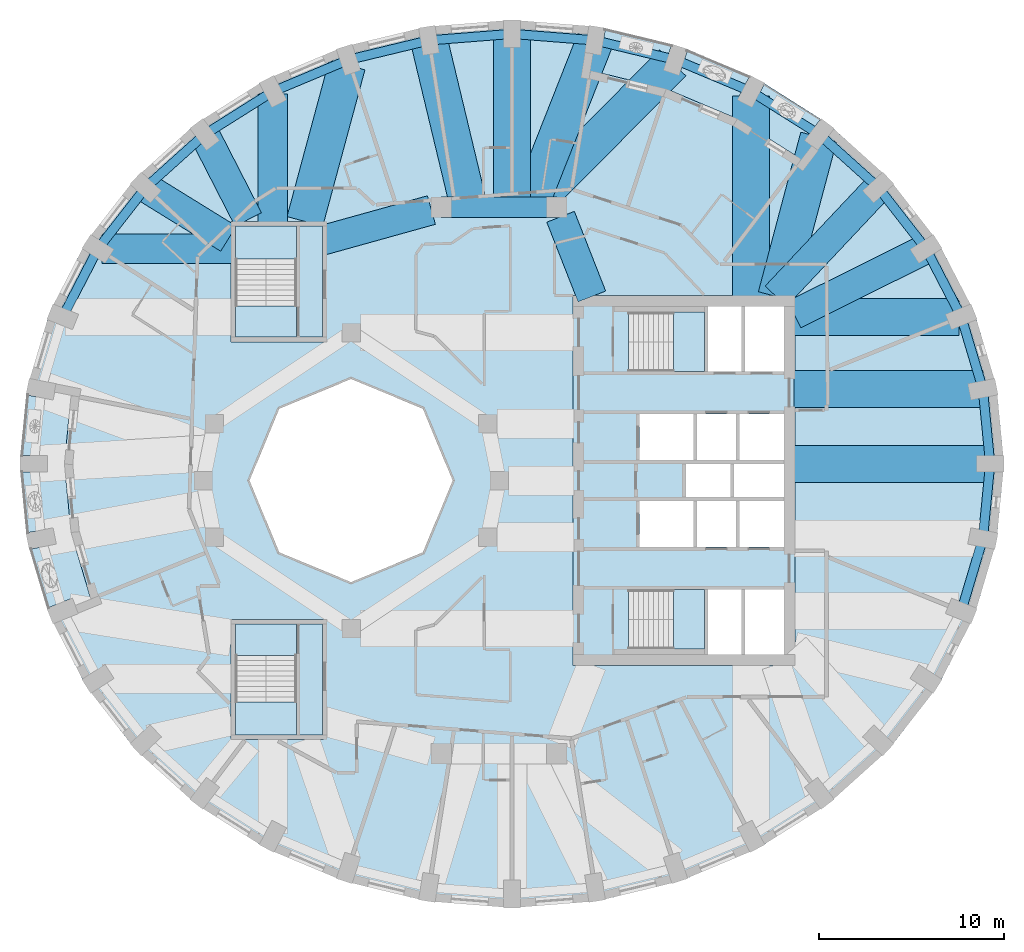
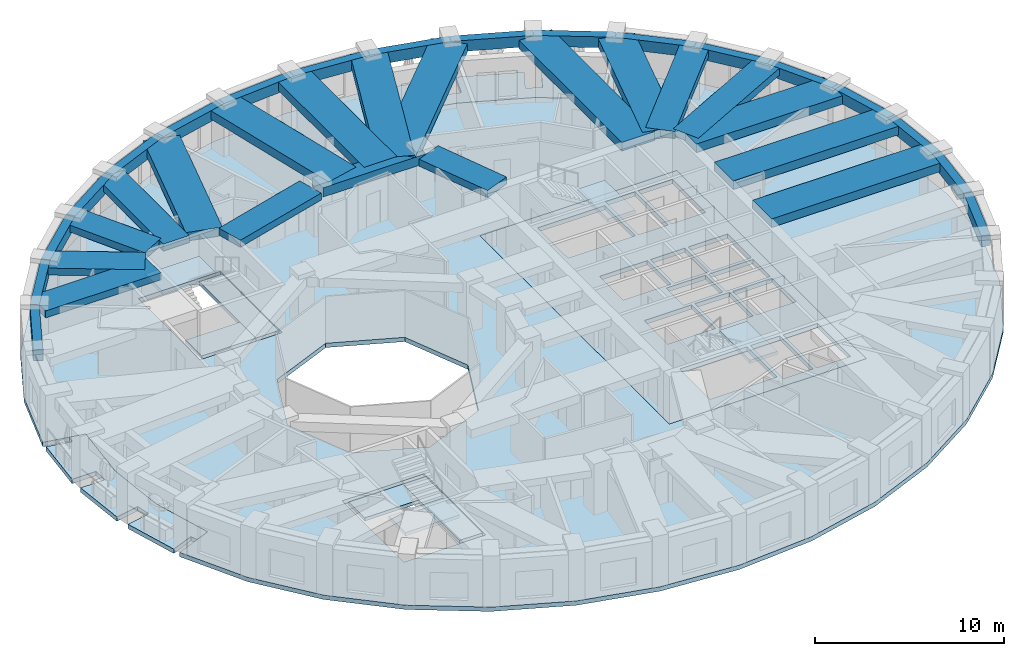
# One storey, part 2 of 12: 37 beams, 12 slabs, 4 elements without a shape of their own.
"""IFC4 building model written with IfcOpenShell, lengths in metres."""

from ifc_helpers import new_model, si_unit, direction, frame, origin, origin_2d, place, context, subcontext, project, spatial, polyline, rectangle, outline, extrude, material, layer, layer_set, material_profile, profile_set, type_object, element, aggregate, save


model = new_model("IFC4")

# Units and contexts
model_context = context("Model", 3, precision=1e-05, world=origin(), true_north=direction((0.0, 1.0)))
body_context = subcontext(model_context, "Body", "Model", "MODEL_VIEW")
ifc_project = project(units=[si_unit("LENGTHUNIT", "METRE"), si_unit("AREAUNIT", "SQUARE_METRE"), si_unit("VOLUMEUNIT", "CUBIC_METRE"), si_unit("PLANEANGLEUNIT", "RADIAN"), si_unit("MASSUNIT", "GRAM", prefix="KILO")], contexts=[model_context])

# Site, building, storey
site_placement = place(None, origin())
site = spatial("IfcSite", under=ifc_project, at=site_placement, CompositionType="ELEMENT")
building_placement = place(site_placement, origin())
building = spatial("IfcBuilding", under=site, at=building_placement, Name="Taillehof Tower", CompositionType="ELEMENT")
storey_placement = place(building_placement, frame((0.0, 0.0, 189.199951171875)))
storey = spatial("IfcBuildingStorey", under=building, at=storey_placement, Name="L53", CompositionType="ELEMENT", Elevation=189.199951171875)

# Beams
ifc_material_1 = material(Name="Concrete C50/60", Category="concrete")
ifc_material_profile_1 = material_profile(ifc_material_1, rectangle(XDim=1.10009765625, YDim=0.60009765625, at=origin_2d()), Name="RC 1100x600")
ifc_profile_set_1 = profile_set([ifc_material_profile_1], Name="Concrete C50/60")
beam_type_1 = type_object("IfcBeamType", Name="Mid-ring beam C50/60 1100x600", PredefinedType="BEAM", material=ifc_profile_set_1)
beam_1_placement = place(storey_placement, frame((3.125732421875, 14.772216796875, 2.719970703125), z_axis=(-1.0, 0.0, 0.0), x_axis=(0.0, -1.0, 0.0)))
element("IfcBeam", 1, at=beam_1_placement, inside=storey, type_object=beam_type_1, Name="Mid-ring beam MB01", PredefinedType="BEAM", context=body_context, shape_type="SweptSolid", body=[
    extrude(rectangle(XDim=1.10009765625, YDim=0.60009765625, at=origin_2d()), origin(), (0.0, 0.0, 1.0), 6.25146484375),
])
ifc_material_2 = material(Name="Concrete C50/60", Category="concrete")
ifc_material_profile_2 = material_profile(ifc_material_2, rectangle(XDim=1.60009765625, YDim=0.449951171875, at=origin_2d()), Name="RC 1600x450")
ifc_profile_set_2 = profile_set([ifc_material_profile_2], Name="Concrete C50/60")
beam_type_2 = type_object("IfcBeamType", Name="Radial band beam C50/60 1600x450", PredefinedType="BEAM", material=ifc_profile_set_2)
beam_2_placement = place(storey_placement, frame((23.086669921875, 12.52490234375, 2.795166015625), z_axis=(-0.895357082848, -0.445348957778, 0.0), x_axis=(0.445348957778, -0.895357082848, 0.0)))
element("IfcBeam", 2, at=beam_2_placement, inside=storey, type_object=beam_type_2, Name="Radial band beam RB04", PredefinedType="BEAM", context=body_context, shape_type="SweptSolid", body=[
    extrude(rectangle(XDim=1.60009765625, YDim=0.449951171875, at=origin_2d()), origin(), (0.0, 0.0, 1.0), 7.96484375),
])
beam_3_placement = place(storey_placement, frame((20.502197265625, 15.8447265625, 2.795166015625), z_axis=(-0.685451470964, -0.728118315217, 0.0), x_axis=(0.728118315217, -0.685451470964, 0.0)))
element("IfcBeam", 3, at=beam_3_placement, inside=storey, type_object=beam_type_2, Name="Radial band beam RB05", PredefinedType="BEAM", context=body_context, shape_type="SweptSolid", body=[
    extrude(rectangle(XDim=1.60009765625, YDim=0.449951171875, at=origin_2d()), origin(), (0.0, 0.0, 1.0), 8.07373046875),
])
beam_4_placement = place(storey_placement, frame((-12.22509765625, 20.9013671875, 2.795166015625), z_axis=(0.0, -1.0, 0.0), x_axis=(1.0, 0.0, 0.0)))
element("IfcBeam", 4, at=beam_4_placement, inside=storey, type_object=beam_type_2, Name="Radial band beam RB13", PredefinedType="BEAM", context=body_context, shape_type="SweptSolid", body=[
    extrude(rectangle(XDim=1.60009765625, YDim=0.449951171875, at=origin_2d()), origin(), (0.0, 0.0, 1.0), 6.951416015625),
])
beam_5_placement = place(storey_placement, frame((-15.916015625, 18.71044921875, 2.795166015625), z_axis=(0.456360793517, -0.889794822496, 0.0), x_axis=(0.889794822496, 0.456360793517, 0.0)))
element("IfcBeam", 5, at=beam_5_placement, inside=storey, type_object=beam_type_2, Name="Radial band beam RB14", PredefinedType="BEAM", context=body_context, shape_type="SweptSolid", body=[
    extrude(rectangle(XDim=1.60009765625, YDim=0.449951171875, at=origin_2d()), origin(), (0.0, 0.0, 1.0), 5.16455078125),
])
beam_6_placement = place(storey_placement, frame((-19.102294921875, 15.8447265625, 2.795166015625), z_axis=(0.850616081395, -0.525787297366, 0.0), x_axis=(0.525787297366, 0.850616081395, 0.0)))
element("IfcBeam", 6, at=beam_6_placement, inside=storey, type_object=beam_type_2, Name="Radial band beam RB15", PredefinedType="BEAM", context=body_context, shape_type="SweptSolid", body=[
    extrude(rectangle(XDim=1.60009765625, YDim=0.449951171875, at=origin_2d()), origin(), (0.0, 0.0, 1.0), 5.260498046875),
])
beam_7_placement = place(storey_placement, frame((-21.47021484375, 12.52490234375, 2.795166015625), z_axis=(1.0, 0.0, 0.0), x_axis=(0.0, 1.0, 0.0)))
element("IfcBeam", 7, at=beam_7_placement, inside=storey, type_object=beam_type_2, Name="Radial band beam RB16", PredefinedType="BEAM", context=body_context, shape_type="SweptSolid", body=[
    extrude(rectangle(XDim=1.60009765625, YDim=0.449951171875, at=origin_2d()), origin(), (0.0, 0.0, 1.0), 7.020263671875),
])
beam_8_placement = place(storey_placement, frame((3.32666015625, 14.26025390625, 2.795166015625), z_axis=(0.365588707223, -0.930776502255, 0.0), x_axis=(0.930776502255, 0.365588707223, 0.0)))
element("IfcBeam", 8, at=beam_8_placement, inside=storey, type_object=beam_type_2, Name="Inner band beam IB205", PredefinedType="BEAM", context=body_context, shape_type="SweptSolid", body=[
    extrude(rectangle(XDim=1.60009765625, YDim=0.449951171875, at=origin_2d()), origin(), (0.0, 0.0, 1.0), 4.627197265625),
])
beam_9_placement = place(storey_placement, frame((-3.655517578125, 14.624755859375, 2.795166015625), z_axis=(-0.963459369536, -0.267854518821, 0.0), x_axis=(0.267854518821, -0.963459369536, 0.0)))
element("IfcBeam", 9, at=beam_9_placement, inside=storey, type_object=beam_type_2, Name="Inner band beam IB206", PredefinedType="BEAM", context=body_context, shape_type="SweptSolid", body=[
    extrude(rectangle(XDim=1.60009765625, YDim=0.449951171875, at=origin_2d()), origin(), (0.0, 0.0, 1.0), 6.096923828125),
])
ifc_material_3 = material(Name="Concrete C50/60", Category="concrete")
ifc_material_profile_3 = material_profile(ifc_material_3, rectangle(XDim=2.0, YDim=0.550048828125, at=origin_2d()), Name="RC 2000x550")
ifc_profile_set_3 = profile_set([ifc_material_profile_3], Name="Concrete C50/60")
beam_type_3 = type_object("IfcBeamType", Name="Radial band beam C50/60 2000x550", PredefinedType="BEAM", material=ifc_profile_set_3)
beam_10_placement = place(storey_placement, frame((26.550048828125, 0.89990234375, 2.7451171875), z_axis=(-1.0, 0.0, 0.0), x_axis=(0.0, -1.0, 0.0)))
element("IfcBeam", 10, at=beam_10_placement, inside=storey, type_object=beam_type_3, Name="Radial band beam RB01", PredefinedType="BEAM", context=body_context, shape_type="SweptSolid", body=[
    extrude(rectangle(XDim=2.0, YDim=0.550048828125, at=origin_2d()), origin(), (0.0, 0.0, 1.0), 10.60009765625),
])
beam_11_placement = place(storey_placement, frame((26.1572265625, 4.937255859375, 2.7451171875), z_axis=(-1.0, 0.0, 0.0), x_axis=(0.0, -1.0, 0.0)))
element("IfcBeam", 11, at=beam_11_placement, inside=storey, type_object=beam_type_3, Name="Radial band beam RB02", PredefinedType="BEAM", context=body_context, shape_type="SweptSolid", body=[
    extrude(rectangle(XDim=2.0, YDim=0.550048828125, at=origin_2d()), origin(), (0.0, 0.0, 1.0), 10.207275390625),
])
beam_12_placement = place(storey_placement, frame((24.856201171875, 8.85205078125, 2.7451171875), z_axis=(-1.0, 0.0, 0.0), x_axis=(0.0, -1.0, 0.0)))
element("IfcBeam", 12, at=beam_12_placement, inside=storey, type_object=beam_type_3, Name="Radial band beam RB03", PredefinedType="BEAM", context=body_context, shape_type="SweptSolid", body=[
    extrude(rectangle(XDim=2.0, YDim=0.550048828125, at=origin_2d()), origin(), (0.0, 0.0, 1.0), 8.90625),
])
beam_13_placement = place(storey_placement, frame((17.28076171875, 18.577880859375, 2.7451171875), z_axis=(-0.256969711091, -0.966419457369, 0.0), x_axis=(0.966419457369, -0.256969711091, 0.0)))
element("IfcBeam", 13, at=beam_13_placement, inside=storey, type_object=beam_type_3, Name="Radial band beam RB06", PredefinedType="BEAM", context=body_context, shape_type="SweptSolid", body=[
    extrude(rectangle(XDim=2.0, YDim=0.550048828125, at=origin_2d()), origin(), (0.0, 0.0, 1.0), 8.926025390625),
])
beam_14_placement = place(storey_placement, frame((13.625, 20.797607421875, 2.7451171875), z_axis=(0.0, -1.0, 0.0), x_axis=(1.0, 0.0, 0.0)))
element("IfcBeam", 14, at=beam_14_placement, inside=storey, type_object=beam_type_3, Name="Radial band beam RB07", PredefinedType="BEAM", context=body_context, shape_type="SweptSolid", body=[
    extrude(rectangle(XDim=2.0, YDim=0.550048828125, at=origin_2d()), origin(), (0.0, 0.0, 1.0), 10.84765625),
])
beam_15_placement = place(storey_placement, frame((9.384765625, 22.590087890625, 2.7451171875), z_axis=(-0.704433609475, -0.709769885133, 0.0), x_axis=(0.709769885133, -0.704433609475, 0.0)))
element("IfcBeam", 15, at=beam_15_placement, inside=storey, type_object=beam_type_3, Name="Radial band beam RB08", PredefinedType="BEAM", context=body_context, shape_type="SweptSolid", body=[
    extrude(rectangle(XDim=2.0, YDim=0.550048828125, at=origin_2d()), origin(), (0.0, 0.0, 1.0), 10.79736328125),
])
beam_16_placement = place(storey_placement, frame((5.188720703125, 23.796875, 2.7451171875), z_axis=(-0.367222105753, -0.930133283485, 0.0), x_axis=(0.930133283485, -0.367222105753, 0.0)))
element("IfcBeam", 16, at=beam_16_placement, inside=storey, type_object=beam_type_3, Name="Radial band beam RB09", PredefinedType="BEAM", context=body_context, shape_type="SweptSolid", body=[
    extrude(rectangle(XDim=2.0, YDim=0.550048828125, at=origin_2d()), origin(), (0.0, 0.0, 1.0), 9.70263671875),
])
beam_17_placement = place(storey_placement, frame((0.699951171875, 24.14990234375, 2.7451171875), z_axis=(0.0, -1.0, 0.0), x_axis=(1.0, 0.0, 0.0)))
element("IfcBeam", 17, at=beam_17_placement, inside=storey, type_object=beam_type_3, Name="Radial band beam RB10", PredefinedType="BEAM", context=body_context, shape_type="SweptSolid", body=[
    extrude(rectangle(XDim=2.0, YDim=0.550048828125, at=origin_2d()), origin(), (0.0, 0.0, 1.0), 9.377685546875),
])
beam_18_placement = place(storey_placement, frame((-3.788818359375, 23.796875, 2.7451171875), z_axis=(0.233084395558, -0.972456510363, 0.0), x_axis=(0.972456510363, 0.233084395558, 0.0)))
element("IfcBeam", 18, at=beam_18_placement, inside=storey, type_object=beam_type_3, Name="Radial band beam RB11", PredefinedType="BEAM", context=body_context, shape_type="SweptSolid", body=[
    extrude(rectangle(XDim=2.0, YDim=0.550048828125, at=origin_2d()), origin(), (0.0, 0.0, 1.0), 9.2802734375),
])
beam_19_placement = place(storey_placement, frame((-8.2177734375, 22.464111328125, 2.7451171875), z_axis=(-0.260346436551, -0.965515268121, 0.0), x_axis=(0.965515268121, -0.260346436551, 0.0)))
element("IfcBeam", 19, at=beam_19_placement, inside=storey, type_object=beam_type_3, Name="Radial band beam RB12", PredefinedType="BEAM", context=body_context, shape_type="SweptSolid", body=[
    extrude(rectangle(XDim=2.0, YDim=0.550048828125, at=origin_2d()), origin(), (0.0, 0.0, 1.0), 8.755859375),
])
ifc_material_4 = material(Name="Concrete C50/60", Category="concrete")
ifc_material_profile_4 = material_profile(ifc_material_4, rectangle(XDim=0.5, YDim=0.699951171875, at=origin_2d()), Name="RC 500x700")
ifc_profile_set_4 = profile_set([ifc_material_profile_4], Name="Concrete C50/60")
beam_type_4 = type_object("IfcBeamType", Name="Spandrel beam C50/60 500x700", PredefinedType="SPANDREL", material=ifc_profile_set_4)
beam_20_placement = place(storey_placement, frame((26.550048828125, 0.89990234375, 2.670166015625), z_axis=(-0.096839674059, 0.995299993735, 0.0), x_axis=(-0.995299993735, -0.096839674059, 0.0)))
element("IfcBeam", 20, at=beam_20_placement, inside=storey, type_object=beam_type_4, Name="Spandrel beam SB01", PredefinedType="SPANDREL", context=body_context, shape_type="SweptSolid", body=[
    extrude(rectangle(XDim=0.5, YDim=0.699951171875, at=origin_2d()), origin(), (0.0, 0.0, 1.0), 4.056396484375),
])
beam_21_placement = place(storey_placement, frame((26.1572265625, 4.937255859375, 2.670166015625), z_axis=(-0.285510458946, 0.9583755933, 0.0), x_axis=(-0.9583755933, -0.285510458946, 0.0)))
element("IfcBeam", 21, at=beam_21_placement, inside=storey, type_object=beam_type_4, Name="Spandrel beam SB02", PredefinedType="SPANDREL", context=body_context, shape_type="SweptSolid", body=[
    extrude(rectangle(XDim=0.5, YDim=0.699951171875, at=origin_2d()), origin(), (0.0, 0.0, 1.0), 4.084716796875),
])
beam_22_placement = place(storey_placement, frame((24.990966796875, 8.85205078125, 2.670166015625), z_axis=(-0.460289604274, 0.887768821371, 0.0), x_axis=(-0.887768821371, -0.460289604274, 0.0)))
element("IfcBeam", 22, at=beam_22_placement, inside=storey, type_object=beam_type_4, Name="Spandrel beam SB03", PredefinedType="SPANDREL", context=body_context, shape_type="SweptSolid", body=[
    extrude(rectangle(XDim=0.5, YDim=0.699951171875, at=origin_2d()), origin(), (0.0, 0.0, 1.0), 4.13720703125),
])
beam_23_placement = place(storey_placement, frame((23.086669921875, 12.52490234375, 2.670166015625), z_axis=(-0.614294081938, 0.789077170432, 0.0), x_axis=(-0.789077170432, -0.614294081938, 0.0)))
element("IfcBeam", 23, at=beam_23_placement, inside=storey, type_object=beam_type_4, Name="Spandrel beam SB04", PredefinedType="SPANDREL", context=body_context, shape_type="SweptSolid", body=[
    extrude(rectangle(XDim=0.5, YDim=0.699951171875, at=origin_2d()), origin(), (0.0, 0.0, 1.0), 4.207275390625),
])
beam_24_placement = place(storey_placement, frame((20.502197265625, 15.8447265625, 2.670166015625), z_axis=(-0.743492416006, 0.668744366213, 0.0), x_axis=(-0.668744366213, -0.743492416006, 0.0)))
element("IfcBeam", 24, at=beam_24_placement, inside=storey, type_object=beam_type_4, Name="Spandrel beam SB05", PredefinedType="SPANDREL", context=body_context, shape_type="SweptSolid", body=[
    extrude(rectangle(XDim=0.5, YDim=0.699951171875, at=origin_2d()), origin(), (0.0, 0.0, 1.0), 4.28515625),
])
beam_25_placement = place(storey_placement, frame((17.316162109375, 18.71044921875, 2.670166015625), z_axis=(-0.846166475687, 0.532918657417, 0.0), x_axis=(-0.532918657417, -0.846166475687, 0.0)))
element("IfcBeam", 25, at=beam_25_placement, inside=storey, type_object=beam_type_4, Name="Spandrel beam SB06", PredefinedType="SPANDREL", context=body_context, shape_type="SweptSolid", body=[
    extrude(rectangle(XDim=0.5, YDim=0.699951171875, at=origin_2d()), origin(), (0.0, 0.0, 1.0), 4.3623046875),
])
beam_26_placement = place(storey_placement, frame((13.625, 21.03515625, 2.670166015625), z_axis=(-0.92218550199, 0.386747850569, 0.0), x_axis=(-0.386747850569, -0.92218550199, 0.0)))
element("IfcBeam", 26, at=beam_26_placement, inside=storey, type_object=beam_type_4, Name="Spandrel beam SB07", PredefinedType="SPANDREL", context=body_context, shape_type="SweptSolid", body=[
    extrude(rectangle(XDim=0.5, YDim=0.699951171875, at=origin_2d()), origin(), (0.0, 0.0, 1.0), 4.42822265625),
])
beam_27_placement = place(storey_placement, frame((9.541259765625, 22.747802734375, 2.670166015625), z_axis=(-0.972160640613, 0.234315361943, 0.0), x_axis=(-0.234315361943, -0.972160640613, 0.0)))
element("IfcBeam", 27, at=beam_27_placement, inside=storey, type_object=beam_type_4, Name="Spandrel beam SB08", PredefinedType="SPANDREL", context=body_context, shape_type="SweptSolid", body=[
    extrude(rectangle(XDim=0.5, YDim=0.699951171875, at=origin_2d()), origin(), (0.0, 0.0, 1.0), 4.477294921875),
])
for number, where, z_axis, x_axis, name in (
    (28, (5.188720703125, 23.796875, 2.670166015625), (-0.996921613963, 0.078404691275, 0.0), (-0.078404691275, -0.996921613963, 0.0), "Spandrel beam SB09"),
    (29, (0.699951171875, 24.14990234375, 2.670166015625), (-0.996921613963, -0.078404691275, 0.0), (0.078404691275, -0.996921613963, 0.0), "Spandrel beam SB10"),
):
    element("IfcBeam", number, at=place(storey_placement, frame(where, z_axis=z_axis, x_axis=x_axis)), inside=storey, type_object=beam_type_4, Name=name, PredefinedType="SPANDREL", context=body_context, shape_type="SweptSolid", body=[
        extrude(rectangle(XDim=0.5, YDim=0.699951171875, at=origin_2d()), origin(), (0.0, 0.0, 1.0), 4.502685546875),
    ])
beam_28_placement = place(storey_placement, frame((-3.788818359375, 23.796875, 2.670166015625), z_axis=(-0.972157646478, -0.234327784087, 0.0), x_axis=(0.234327784087, -0.972157646478, 0.0)))
element("IfcBeam", 30, at=beam_28_placement, inside=storey, type_object=beam_type_4, Name="Spandrel beam SB11", PredefinedType="SPANDREL", context=body_context, shape_type="SweptSolid", body=[
    extrude(rectangle(XDim=0.5, YDim=0.699951171875, at=origin_2d()), origin(), (0.0, 0.0, 1.0), 4.47705078125),
])
beam_29_placement = place(storey_placement, frame((-8.14111328125, 22.747802734375, 2.670166015625), z_axis=(-0.922193747603, -0.386728188632, 0.0), x_axis=(0.386728188632, -0.922193747603, 0.0)))
element("IfcBeam", 31, at=beam_29_placement, inside=storey, type_object=beam_type_4, Name="Spandrel beam SB12", PredefinedType="SPANDREL", context=body_context, shape_type="SweptSolid", body=[
    extrude(rectangle(XDim=0.5, YDim=0.699951171875, at=origin_2d()), origin(), (0.0, 0.0, 1.0), 4.428466796875),
])
beam_30_placement = place(storey_placement, frame((-12.22509765625, 21.03515625, 2.670166015625), z_axis=(-0.846150579775, -0.532943896059, 0.0), x_axis=(0.532943896059, -0.846150579775, 0.0)))
element("IfcBeam", 32, at=beam_30_placement, inside=storey, type_object=beam_type_4, Name="Spandrel beam SB13", PredefinedType="SPANDREL", context=body_context, shape_type="SweptSolid", body=[
    extrude(rectangle(XDim=0.5, YDim=0.699951171875, at=origin_2d()), origin(), (0.0, 0.0, 1.0), 4.362060546875),
])
beam_31_placement = place(storey_placement, frame((-15.916015625, 18.71044921875, 2.670166015625), z_axis=(-0.743517893617, -0.668716039789, 0.0), x_axis=(0.668716039789, -0.743517893617, 0.0)))
element("IfcBeam", 33, at=beam_31_placement, inside=storey, type_object=beam_type_4, Name="Spandrel beam SB14", PredefinedType="SPANDREL", context=body_context, shape_type="SweptSolid", body=[
    extrude(rectangle(XDim=0.5, YDim=0.699951171875, at=origin_2d()), origin(), (0.0, 0.0, 1.0), 4.285400390625),
])
beam_32_placement = place(storey_placement, frame((-19.102294921875, 15.8447265625, 2.670166015625), z_axis=(-0.614294081938, -0.789077170432, 0.0), x_axis=(0.789077170432, -0.614294081938, 0.0)))
element("IfcBeam", 34, at=beam_32_placement, inside=storey, type_object=beam_type_4, Name="Spandrel beam SB15", PredefinedType="SPANDREL", context=body_context, shape_type="SweptSolid", body=[
    extrude(rectangle(XDim=0.5, YDim=0.699951171875, at=origin_2d()), origin(), (0.0, 0.0, 1.0), 4.207275390625),
])
beam_33_placement = place(storey_placement, frame((-21.686767578125, 12.52490234375, 2.670166015625), z_axis=(-0.460289604274, -0.887768821371, 0.0), x_axis=(0.887768821371, -0.460289604274, 0.0)))
element("IfcBeam", 35, at=beam_33_placement, inside=storey, type_object=beam_type_4, Name="Spandrel beam SB16", PredefinedType="SPANDREL", context=body_context, shape_type="SweptSolid", body=[
    extrude(rectangle(XDim=0.5, YDim=0.699951171875, at=origin_2d()), origin(), (0.0, 0.0, 1.0), 4.13720703125),
])
beam_34_placement = place(storey_placement, frame((24.990966796875, -7.052001953125, 2.670166015625), z_axis=(0.285510458946, 0.9583755933, 0.0), x_axis=(-0.9583755933, 0.285510458946, 0.0)))
element("IfcBeam", 36, at=beam_34_placement, inside=storey, type_object=beam_type_4, Name="Spandrel beam SB35", PredefinedType="SPANDREL", context=body_context, shape_type="SweptSolid", body=[
    extrude(rectangle(XDim=0.5, YDim=0.699951171875, at=origin_2d()), origin(), (0.0, 0.0, 1.0), 4.084716796875),
])
beam_35_placement = place(storey_placement, frame((26.1572265625, -3.13720703125, 2.670166015625), z_axis=(0.096845475428, 0.995299429262, 0.0), x_axis=(-0.995299429262, 0.096845475428, 0.0)))
element("IfcBeam", 37, at=beam_35_placement, inside=storey, type_object=beam_type_4, Name="Spandrel beam SB36", PredefinedType="SPANDREL", context=body_context, shape_type="SweptSolid", body=[
    extrude(rectangle(XDim=0.5, YDim=0.699951171875, at=origin_2d()), origin(), (0.0, 0.0, 1.0), 4.05615234375),
])

# Slabs
ifc_material_5 = material(Name="Concrete C40/50", Category="concrete")
ifc_layer_1 = layer(ifc_material_5, 0.280029296875)
ifc_layer_set_1 = layer_set([ifc_layer_1], Name="Balcony slab 280")
slab_type_1 = type_object("IfcSlabType", Name="Balcony slab 280", PredefinedType="USERDEFINED", material=ifc_layer_set_1)
slab_1_placement = place(storey_placement, frame((0.0, 0.0, -0.280029296875)))
element("IfcSlab", 38, at=slab_1_placement, inside=storey, type_object=slab_type_1, Name="Balcony L53 pocket 1", ObjectType="BALCONY", PredefinedType="USERDEFINED", context=body_context, shape_type="SweptSolid", body=[
    extrude(outline(polyline([(4.94189453125, 22.165283203125), (5.08349609375, 23.05419921875), (5.515380859375, 22.9853515625), (5.74560546875, 24.432373046875), (9.335693359375, 23.564208984375), (8.879638671875, 22.17578125), (9.73486328125, 21.894775390625), (10.19189453125, 23.286865234375), (13.5537109375, 21.872314453125), (12.87939453125, 20.577880859375), (13.677490234375, 20.162109375), (14.354248046875, 21.4609375), (17.384521484375, 19.54638671875), (16.504638671875, 18.38427734375), (16.893310546875, 18.08984375), (16.349609375, 17.37158203125), (12.89111328125, 19.55615234375), (9.048828125, 21.17236328125), (4.94189453125, 22.165283203125)])), origin(), (0.0, 0.0, 1.0), 0.280029296875),
])
slab_2_placement = place(storey_placement, frame((0.0, 0.0, -0.280029296875)))
element("IfcSlab", 39, at=slab_2_placement, inside=storey, type_object=slab_type_1, Name="Balcony L53 pocket 5", ObjectType="BALCONY", PredefinedType="USERDEFINED", context=body_context, shape_type="SweptSolid", body=[
    extrude(outline(polyline([(-22.070068359375, -6.41064453125), (-22.9052734375, -6.74755859375), (-23.06396484375, -6.35400390625), (-24.417236328125, -6.89990234375), (-25.36328125, -3.71435546875), (-23.934814453125, -3.43505859375), (-24.107421875, -2.5517578125), (-25.5380859375, -2.831298828125), (-25.8564453125, 0.449951171875), (-24.39990234375, 0.449951171875), (-24.39990234375, 1.35009765625), (-25.8564453125, 1.35009765625), (-25.5380859375, 4.63134765625), (-24.107421875, 4.351806640625), (-24.02392578125, 4.77978515625), (-23.140380859375, 4.607177734375), (-23.5, 0.89990234375), (-23.140380859375, -2.80712890625), (-22.070068359375, -6.41064453125)])), origin(), (0.0, 0.0, 1.0), 0.280029296875),
])
ifc_material_6 = material(Name="Concrete C40/50", Category="concrete")
ifc_layer_2 = layer(ifc_material_6, 0.280029296875)
ifc_layer_set_2 = layer_set([ifc_layer_2], Name="Core floor slab C40/50 280")
slab_type_2 = type_object("IfcSlabType", Name="Core floor slab C40/50 280", PredefinedType="FLOOR", material=ifc_layer_set_2)
slab_3_placement = place(storey_placement, frame((0.0, 0.0, -0.280029296875)))
element("IfcSlab", 40, at=slab_3_placement, inside=storey, type_object=slab_type_2, Name="Core floor L53", PredefinedType="FLOOR", context=body_context, shape_type="SweptSolid", body=[
    extrude(outline(polyline([(4.0, -10.0), (4.0, 10.0), (16.0, 10.0), (16.0, -10.0), (4.0, -10.0)]), holes=[polyline([(11.10009765625, -9.10009765625), (11.10009765625, -5.89990234375), (7.00048828125, -5.89990234375), (7.00048828125, -9.10009765625), (11.10009765625, -9.10009765625)]), polyline([(10.5, -3.60009765625), (10.5, -1.10009765625), (7.60009765625, -1.10009765625), (7.60009765625, -3.60009765625), (10.5, -3.60009765625)]), polyline([(12.800048828125, -3.60009765625), (12.800048828125, -1.10009765625), (10.699951171875, -1.10009765625), (10.699951171875, -3.60009765625), (12.800048828125, -3.60009765625)]), polyline([(12.5, -0.89990234375), (12.5, 0.89990234375), (10.10009765625, 0.89990234375), (10.10009765625, -0.89990234375), (12.5, -0.89990234375)]), polyline([(10.5, 1.10009765625), (10.5, 3.60009765625), (7.60009765625, 3.60009765625), (7.60009765625, 1.10009765625), (10.5, 1.10009765625)]), polyline([(12.800048828125, 1.10009765625), (12.800048828125, 3.60009765625), (10.699951171875, 3.60009765625), (10.699951171875, 1.10009765625), (12.800048828125, 1.10009765625)]), polyline([(11.10009765625, 5.89990234375), (11.10009765625, 9.10009765625), (7.00048828125, 9.10009765625), (7.00048828125, 5.89990234375), (11.10009765625, 5.89990234375)]), polyline([(13.10009765625, -5.89990234375), (11.300048828125, -5.89990234375), (11.300048828125, -9.39990234375), (13.10009765625, -9.39990234375), (13.10009765625, -5.89990234375)]), polyline([(15.39990234375, -9.39990234375), (15.39990234375, -5.89990234375), (13.300048828125, -5.89990234375), (13.300048828125, -9.39990234375), (15.39990234375, -9.39990234375)]), polyline([(15.39990234375, -3.60009765625), (15.39990234375, -1.10009765625), (13.0, -1.10009765625), (13.0, -3.60009765625), (15.39990234375, -3.60009765625)]), polyline([(15.39990234375, -0.89990234375), (15.39990234375, 0.89990234375), (12.699951171875, 0.89990234375), (12.699951171875, -0.89990234375), (15.39990234375, -0.89990234375)]), polyline([(15.39990234375, 1.10009765625), (15.39990234375, 3.60009765625), (13.0, 3.60009765625), (13.0, 1.10009765625), (15.39990234375, 1.10009765625)]), polyline([(13.10009765625, 5.89990234375), (13.10009765625, 9.39990234375), (11.300048828125, 9.39990234375), (11.300048828125, 5.89990234375), (13.10009765625, 5.89990234375)]), polyline([(15.39990234375, 5.89990234375), (15.39990234375, 9.39990234375), (13.300048828125, 9.39990234375), (13.300048828125, 5.89990234375), (15.39990234375, 5.89990234375)])]), origin(), (0.0, 0.0, 1.0), 0.280029296875),
])
ifc_material_7 = material(Name="Concrete C40/50", Category="concrete")
ifc_layer_3 = layer(ifc_material_7, 0.280029296875)
ifc_layer_set_3 = layer_set([ifc_layer_3], Name="Floor slab 280")
slab_type_3 = type_object("IfcSlabType", Name="Floor slab 280", PredefinedType="FLOOR", material=ifc_layer_set_3)
slab_4_placement = place(storey_placement, frame((0.0, 0.0, -0.280029296875)))
element("IfcSlab", 41, at=slab_4_placement, inside=storey, type_object=slab_type_3, Name="Floor slab L53", PredefinedType="FLOOR", context=body_context, shape_type="SweptSolid", body=[
    extrude(outline(polyline([(27.300048828125, 0.89990234375), (26.89599609375, 5.067626953125), (25.69580078125, 9.1083984375), (23.736328125, 12.89990234375), (21.076904296875, 16.326904296875), (17.798095703125, 19.28515625), (16.349609375, 17.37158203125), (12.89111328125, 19.55615234375), (9.048828125, 21.17236328125), (4.94189453125, 22.165283203125), (5.319091796875, 24.535400390625), (0.699951171875, 24.89990234375), (-3.9189453125, 24.535400390625), (-8.397705078125, 23.45263671875), (-12.60009765625, 21.6845703125), (-16.398193359375, 19.28515625), (-19.6767578125, 16.326904296875), (-22.336181640625, 12.89990234375), (-24.2958984375, 9.1083984375), (-25.495849609375, 5.067626953125), (-23.140380859375, 4.607177734375), (-23.5, 0.89990234375), (-23.140380859375, -2.80712890625), (-22.070068359375, -6.41064453125), (-24.2958984375, -7.30859375), (-22.336181640625, -11.10009765625), (-19.6767578125, -14.52685546875), (-16.398193359375, -17.485107421875), (-12.60009765625, -19.884521484375), (-8.397705078125, -21.652587890625), (-3.9189453125, -22.7353515625), (0.699951171875, -23.10009765625), (5.319091796875, -22.7353515625), (9.797607421875, -21.652587890625), (14.0, -19.884521484375), (17.798095703125, -17.485107421875), (21.076904296875, -14.52685546875), (23.736328125, -11.10009765625), (25.69580078125, -7.30859375), (26.89599609375, -3.267578125), (27.300048828125, 0.89990234375)]), holes=[polyline([(-14.5, -7.5), (-9.5, -7.5), (-9.5, -14.0), (-14.5, -14.0), (-14.5, -7.5)]), polyline([(-8.0, -5.5), (-11.88916015625, -3.88916015625), (-13.5, 0.0), (-11.88916015625, 3.88916015625), (-8.0, 5.5), (-4.11083984375, 3.88916015625), (-2.5, 0.0), (-4.11083984375, -3.88916015625), (-8.0, -5.5)]), polyline([(16.0, 10.0), (16.0, -10.0), (4.0, -10.0), (4.0, 10.0), (16.0, 10.0)]), polyline([(-14.5, 14.0), (-9.5, 14.0), (-9.5, 7.5), (-14.5, 7.5), (-14.5, 14.0)])]), origin(), (0.0, 0.0, 1.0), 0.280029296875),
])

# Stair, slab
ifc_material_8 = material(Name="Concrete C40/50", Category="concrete")
stair_type = type_object("IfcStairType", Name="Exit stair half-turn", PredefinedType="HALF_TURN_STAIR", material=ifc_material_8)
stair_1_placement = place(storey_placement, origin())
stair_1 = element("IfcStair", 42, at=stair_1_placement, inside=storey, type_object=stair_type, Name="Exit stair S1", PredefinedType="HALF_TURN_STAIR")
ifc_material_9 = material(Name="Concrete C40/50", Category="concrete")
ifc_layer_4 = layer(ifc_material_9, 0.2099609375)
ifc_layer_set_4 = layer_set([ifc_layer_4], Name="Stair landing C40/50 210")
slab_type_4 = type_object("IfcSlabType", Name="Stair landing C40/50 210", PredefinedType="LANDING", material=ifc_layer_set_4)
slab_5_placement = place(storey_placement, frame((0.0, 0.0, 1.43994140625)))
slab_5 = element("IfcSlab", 43, at=slab_5_placement, type_object=slab_type_4, Name="S1 landing 1", PredefinedType="LANDING", context=body_context, shape_type="SweptSolid", body=[
    extrude(outline(polyline([(9.429931640625, 5.89990234375), (11.10009765625, 5.89990234375), (11.10009765625, 9.10009765625), (9.429931640625, 9.10009765625), (9.429931640625, 5.89990234375)])), origin(), (0.0, 0.0, 1.0), 0.210205078125),
])
aggregate(stair_1, [slab_5])

stair_2_placement = place(storey_placement, origin())
stair_2 = element("IfcStair", 44, at=stair_2_placement, inside=storey, type_object=stair_type, Name="Exit stair S2", PredefinedType="HALF_TURN_STAIR")
slab_6_placement = place(storey_placement, frame((0.0, 0.0, 1.43994140625)))
slab_6 = element("IfcSlab", 45, at=slab_6_placement, type_object=slab_type_4, Name="S2 landing 1", PredefinedType="LANDING", context=body_context, shape_type="SweptSolid", body=[
    extrude(outline(polyline([(9.429931640625, -5.89990234375), (11.10009765625, -5.89990234375), (11.10009765625, -9.10009765625), (9.429931640625, -9.10009765625), (9.429931640625, -5.89990234375)])), origin(), (0.0, 0.0, 1.0), 0.210205078125),
])
aggregate(stair_2, [slab_6])

stair_3_placement = place(storey_placement, origin())
stair_3 = element("IfcStair", 46, at=stair_3_placement, inside=storey, type_object=stair_type, Name="Exit stair S3", PredefinedType="HALF_TURN_STAIR")
slab_7_placement = place(storey_placement, frame((0.0, 0.0, 1.43994140625)))
slab_7 = element("IfcSlab", 47, at=slab_7_placement, type_object=slab_type_4, Name="S3 landing 1", PredefinedType="LANDING", context=body_context, shape_type="SweptSolid", body=[
    extrude(outline(polyline([(-14.25, 11.969970703125), (-14.25, 13.75), (-10.949951171875, 13.75), (-10.949951171875, 11.969970703125), (-14.25, 11.969970703125)])), origin(), (0.0, 0.0, 1.0), 0.210205078125),
])
aggregate(stair_3, [slab_7])

stair_4_placement = place(storey_placement, origin())
stair_4 = element("IfcStair", 48, at=stair_4_placement, inside=storey, type_object=stair_type, Name="Exit stair S4", PredefinedType="HALF_TURN_STAIR")
slab_8_placement = place(storey_placement, frame((0.0, 0.0, 1.43994140625)))
slab_8 = element("IfcSlab", 49, at=slab_8_placement, type_object=slab_type_4, Name="S4 landing 1", PredefinedType="LANDING", context=body_context, shape_type="SweptSolid", body=[
    extrude(outline(polyline([(-14.25, -11.969970703125), (-14.25, -13.75), (-10.949951171875, -13.75), (-10.949951171875, -11.969970703125), (-14.25, -11.969970703125)])), origin(), (0.0, 0.0, 1.0), 0.210205078125),
])
aggregate(stair_4, [slab_8])

# Slabs
slab_9_placement = place(storey_placement, frame((0.0, 0.0, -0.2099609375)))
element("IfcSlab", 50, at=slab_9_placement, inside=storey, type_object=slab_type_4, Name="Stair S3 floor landing", PredefinedType="LANDING", context=body_context, shape_type="SweptSolid", body=[
    extrude(outline(polyline([(-14.25, 7.75), (-14.25, 9.449951171875), (-10.949951171875, 9.449951171875), (-10.949951171875, 7.75), (-14.25, 7.75)])), origin(), (0.0, 0.0, 1.0), 0.2099609375),
])
slab_10_placement = place(storey_placement, frame((0.0, 0.0, -0.2099609375)))
element("IfcSlab", 51, at=slab_10_placement, inside=storey, type_object=slab_type_4, Name="Stair lobby S3 floor", PredefinedType="LANDING", context=body_context, shape_type="SweptSolid", body=[
    extrude(outline(polyline([(-10.949951171875, 7.75), (-9.550048828125, 7.75), (-9.550048828125, 13.75), (-10.949951171875, 13.75), (-10.949951171875, 7.75)])), origin(), (0.0, 0.0, 1.0), 0.2099609375),
])
slab_11_placement = place(storey_placement, frame((0.0, 0.0, -0.2099609375)))
element("IfcSlab", 52, at=slab_11_placement, inside=storey, type_object=slab_type_4, Name="Stair S4 floor landing", PredefinedType="LANDING", context=body_context, shape_type="SweptSolid", body=[
    extrude(outline(polyline([(-14.25, -7.75), (-14.25, -9.449951171875), (-10.949951171875, -9.449951171875), (-10.949951171875, -7.75), (-14.25, -7.75)])), origin(), (0.0, 0.0, 1.0), 0.2099609375),
])
slab_12_placement = place(storey_placement, frame((0.0, 0.0, -0.2099609375)))
element("IfcSlab", 53, at=slab_12_placement, inside=storey, type_object=slab_type_4, Name="Stair lobby S4 floor", PredefinedType="LANDING", context=body_context, shape_type="SweptSolid", body=[
    extrude(outline(polyline([(-10.949951171875, -13.75), (-9.550048828125, -13.75), (-9.550048828125, -7.75), (-10.949951171875, -7.75), (-10.949951171875, -13.75)])), origin(), (0.0, 0.0, 1.0), 0.2099609375),
])

save(model, "model.ifc")
